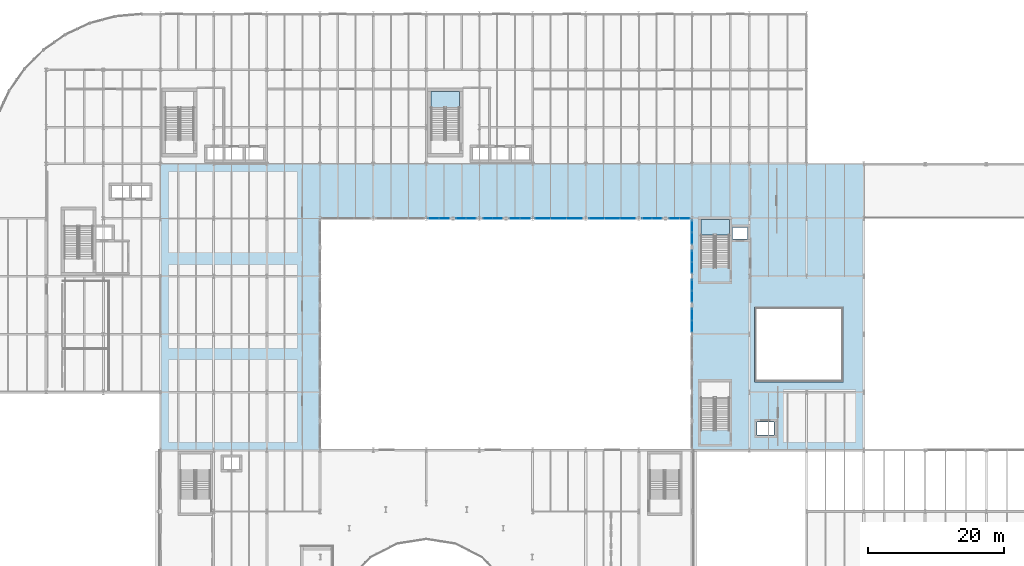
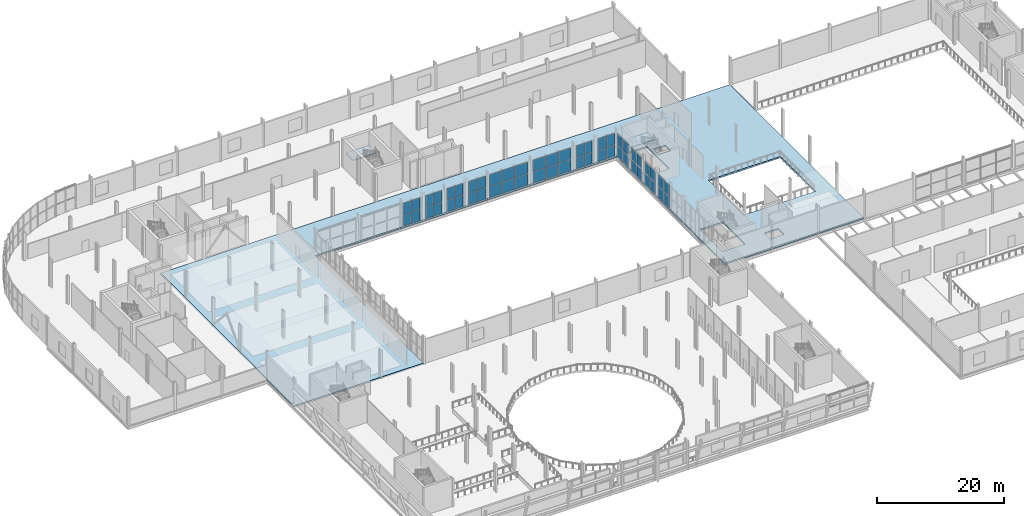
# One storey, part 42 of 78: 52 plates, 3 slabs, 14 elements without a shape of their own.
"""IFC4 building model written with IfcOpenShell, lengths in metres."""

from ifc_helpers import new_model, si_unit, direction, frame, origin, origin_2d, place, context, subcontext, project, spatial, polyline, rectangle, outline, extrude, material, layer, layer_set, type_object, element, aggregate, save


model = new_model("IFC4")

# Units and contexts
model_context = context("Model", 3, precision=1e-05, world=origin(), true_north=direction((0.0, 1.0)))
body_context = subcontext(model_context, "Body", "Model", "MODEL_VIEW")
ifc_project = project(units=[si_unit("LENGTHUNIT", "METRE"), si_unit("AREAUNIT", "SQUARE_METRE"), si_unit("VOLUMEUNIT", "CUBIC_METRE"), si_unit("PLANEANGLEUNIT", "RADIAN"), si_unit("MASSUNIT", "GRAM", prefix="KILO")], contexts=[model_context])

# Site, building, storey
site_placement = place(None, origin())
site = spatial("IfcSite", under=ifc_project, at=site_placement, CompositionType="ELEMENT")
building_placement = place(site_placement, origin())
building = spatial("IfcBuilding", under=site, at=building_placement, Name="Sefraquen Railside Congress Hotel", CompositionType="ELEMENT")
storey_placement = place(building_placement, frame((0.0, 0.0, 6.0)))
storey = spatial("IfcBuildingStorey", under=building, at=storey_placement, Name="L01", CompositionType="ELEMENT", Elevation=6.0)

# Curtain wall, plates
ifc_material_1 = material(Name="Thermally broken anodised aluminium and low-E double glazing", Category="aluminium")
ifc_layer_1 = layer(ifc_material_1, 0.199951171875)
ifc_layer_set_1 = layer_set([ifc_layer_1], Name="Thermally broken anodised aluminium and low-E double glazing")
curtain_wall_type_1 = type_object("IfcCurtainWallType", Name="TCW-UCW-11", PredefinedType="USERDEFINED", material=ifc_layer_set_1)
curtain_wall_1_placement = place(storey_placement, origin())
curtain_wall_1 = element("IfcCurtainWall", 1, at=curtain_wall_1_placement, inside=storey, type_object=curtain_wall_type_1, Name="Courtyard north gallery curtain wall L01-2", ObjectType="UNITISED CURTAIN WALL", PredefinedType="USERDEFINED")
ifc_material_2 = material(Name="Solar-control low-E double glazing", Category="glass")
ifc_layer_2 = layer(ifc_material_2, 0.02392578125)
ifc_layer_set_2 = layer_set([ifc_layer_2], Name="Solar-control low-E double glazing")
plate_type_1 = type_object("IfcPlateType", Name="TP-CWP-01", PredefinedType="CURTAIN_PANEL", material=ifc_layer_set_2)
plate_1_placement = place(storey_placement, frame((65.28759765625, 88.0, 0.0400390625), z_axis=(0.0, 0.0, 1.0), x_axis=(1.0, 0.0, 0.0)))
plate_1 = element("IfcPlate", 2, at=plate_1_placement, type_object=plate_type_1, Name="CW-L01-043 panel 1.1", PredefinedType="CURTAIN_PANEL", context=body_context, shape_type="SweptSolid", body=[
    extrude(rectangle(XDim=1.465087890625, YDim=0.02392578125, at=origin_2d()), origin(), (0.0, 0.0, 1.0), 2.169921875),
])
plate_2_placement = place(storey_placement, frame((66.842529296875, 88.0, 0.0400390625), z_axis=(0.0, 0.0, 1.0), x_axis=(1.0, 0.0, 0.0)))
plate_2 = element("IfcPlate", 3, at=plate_2_placement, type_object=plate_type_1, Name="CW-L01-043 panel 1.2", PredefinedType="CURTAIN_PANEL", context=body_context, shape_type="SweptSolid", body=[
    extrude(rectangle(XDim=1.465087890625, YDim=0.02392578125, at=origin_2d()), origin(), (0.0, 0.0, 1.0), 2.169921875),
])

curtain_wall_2_placement = place(storey_placement, origin())
curtain_wall_2 = element("IfcCurtainWall", 4, at=curtain_wall_2_placement, inside=storey, type_object=curtain_wall_type_1, Name="Courtyard north gallery curtain wall L01-2 bay 2", ObjectType="UNITISED CURTAIN WALL", PredefinedType="USERDEFINED")
plate_3_placement = place(storey_placement, frame((69.31494140625, 88.0, 0.0400390625), z_axis=(0.0, 0.0, 1.0), x_axis=(1.0, 0.0, 0.0)))
plate_3 = element("IfcPlate", 5, at=plate_3_placement, type_object=plate_type_1, Name="CW-L01-043-S2 panel 1.1", PredefinedType="CURTAIN_PANEL", context=body_context, shape_type="SweptSolid", body=[
    extrude(rectangle(XDim=1.3798828125, YDim=0.02392578125, at=origin_2d()), origin(), (0.0, 0.0, 1.0), 2.169921875),
])
plate_4_placement = place(storey_placement, frame((70.784912109375, 88.0, 0.0400390625), z_axis=(0.0, 0.0, 1.0), x_axis=(1.0, 0.0, 0.0)))
plate_4 = element("IfcPlate", 6, at=plate_4_placement, type_object=plate_type_1, Name="CW-L01-043-S2 panel 1.2", PredefinedType="CURTAIN_PANEL", context=body_context, shape_type="SweptSolid", body=[
    extrude(rectangle(XDim=1.3798828125, YDim=0.02392578125, at=origin_2d()), origin(), (0.0, 0.0, 1.0), 2.169921875),
])

curtain_wall_3_placement = place(storey_placement, origin())
curtain_wall_3 = element("IfcCurtainWall", 7, at=curtain_wall_3_placement, inside=storey, type_object=curtain_wall_type_1, Name="Courtyard north gallery curtain wall L01-2 bay 3", ObjectType="UNITISED CURTAIN WALL", PredefinedType="USERDEFINED")
plate_5_placement = place(storey_placement, frame((73.215087890625, 88.0, 0.0400390625), z_axis=(0.0, 0.0, 1.0), x_axis=(1.0, 0.0, 0.0)))
plate_5 = element("IfcPlate", 8, at=plate_5_placement, type_object=plate_type_1, Name="CW-L01-043-S3 panel 1.1", PredefinedType="CURTAIN_PANEL", context=body_context, shape_type="SweptSolid", body=[
    extrude(rectangle(XDim=1.3798828125, YDim=0.02392578125, at=origin_2d()), origin(), (0.0, 0.0, 1.0), 2.169921875),
])
plate_6_placement = place(storey_placement, frame((74.68505859375, 88.0, 0.0400390625), z_axis=(0.0, 0.0, 1.0), x_axis=(1.0, 0.0, 0.0)))
plate_6 = element("IfcPlate", 9, at=plate_6_placement, type_object=plate_type_1, Name="CW-L01-043-S3 panel 1.2", PredefinedType="CURTAIN_PANEL", context=body_context, shape_type="SweptSolid", body=[
    extrude(rectangle(XDim=1.3798828125, YDim=0.02392578125, at=origin_2d()), origin(), (0.0, 0.0, 1.0), 2.169921875),
])

curtain_wall_4_placement = place(storey_placement, origin())
curtain_wall_4 = element("IfcCurtainWall", 10, at=curtain_wall_4_placement, inside=storey, type_object=curtain_wall_type_1, Name="Courtyard north gallery curtain wall L01-2 bay 4", ObjectType="UNITISED CURTAIN WALL", PredefinedType="USERDEFINED")
plate_7_placement = place(storey_placement, frame((77.157470703125, 88.0, 0.0400390625), z_axis=(0.0, 0.0, 1.0), x_axis=(1.0, 0.0, 0.0)))
plate_7 = element("IfcPlate", 11, at=plate_7_placement, type_object=plate_type_1, Name="CW-L01-043-S4 panel 1.1", PredefinedType="CURTAIN_PANEL", context=body_context, shape_type="SweptSolid", body=[
    extrude(rectangle(XDim=1.465087890625, YDim=0.02392578125, at=origin_2d()), origin(), (0.0, 0.0, 1.0), 2.169921875),
])
plate_8_placement = place(storey_placement, frame((78.71240234375, 88.0, 0.0400390625), z_axis=(0.0, 0.0, 1.0), x_axis=(1.0, 0.0, 0.0)))
plate_8 = element("IfcPlate", 12, at=plate_8_placement, type_object=plate_type_1, Name="CW-L01-043-S4 panel 1.2", PredefinedType="CURTAIN_PANEL", context=body_context, shape_type="SweptSolid", body=[
    extrude(rectangle(XDim=1.465087890625, YDim=0.02392578125, at=origin_2d()), origin(), (0.0, 0.0, 1.0), 2.169921875),
])

ifc_layer_3 = layer(ifc_material_1, 0.199951171875)
ifc_layer_set_3 = layer_set([ifc_layer_3], Name="Thermally broken anodised aluminium and low-E double glazing")
curtain_wall_type_2 = type_object("IfcCurtainWallType", Name="TCW-UCW-12", PredefinedType="USERDEFINED", material=ifc_layer_set_3)
curtain_wall_5_placement = place(storey_placement, origin())
curtain_wall_5 = element("IfcCurtainWall", 13, at=curtain_wall_5_placement, inside=storey, type_object=curtain_wall_type_2, Name="Courtyard north gallery curtain wall L01-3", ObjectType="UNITISED CURTAIN WALL", PredefinedType="USERDEFINED")
plate_9_placement = place(storey_placement, frame((81.2783203125, 88.0, 0.0400390625), z_axis=(0.0, 0.0, 1.0), x_axis=(1.0, 0.0, 0.0)))
plate_9 = element("IfcPlate", 14, at=plate_9_placement, type_object=plate_type_1, Name="CW-L01-044 panel 1.1", PredefinedType="CURTAIN_PANEL", context=body_context, shape_type="SweptSolid", body=[
    extrude(rectangle(XDim=2.24658203125, YDim=0.02392578125, at=origin_2d()), origin(), (0.0, 0.0, 1.0), 2.169921875),
])
plate_10_placement = place(storey_placement, frame((83.614990234375, 88.0, 0.0400390625), z_axis=(0.0, 0.0, 1.0), x_axis=(1.0, 0.0, 0.0)))
plate_10 = element("IfcPlate", 15, at=plate_10_placement, type_object=plate_type_1, Name="CW-L01-044 panel 1.2", PredefinedType="CURTAIN_PANEL", context=body_context, shape_type="SweptSolid", body=[
    extrude(rectangle(XDim=2.24658203125, YDim=0.02392578125, at=origin_2d()), origin(), (0.0, 0.0, 1.0), 2.169921875),
])
plate_11_placement = place(storey_placement, frame((85.95166015625, 88.0, 0.0400390625), z_axis=(0.0, 0.0, 1.0), x_axis=(1.0, 0.0, 0.0)))
plate_11 = element("IfcPlate", 16, at=plate_11_placement, type_object=plate_type_1, Name="CW-L01-044 panel 1.3", PredefinedType="CURTAIN_PANEL", context=body_context, shape_type="SweptSolid", body=[
    extrude(rectangle(XDim=2.24658203125, YDim=0.02392578125, at=origin_2d()), origin(), (0.0, 0.0, 1.0), 2.169921875),
])

curtain_wall_6_placement = place(storey_placement, origin())
curtain_wall_6 = element("IfcCurtainWall", 17, at=curtain_wall_6_placement, inside=storey, type_object=curtain_wall_type_2, Name="Courtyard north gallery curtain wall L01-3 bay 2", ObjectType="UNITISED CURTAIN WALL", PredefinedType="USERDEFINED")
plate_12_placement = place(storey_placement, frame((89.219970703125, 88.0, 0.0400390625), z_axis=(0.0, 0.0, 1.0), x_axis=(1.0, 0.0, 0.0)))
plate_12 = element("IfcPlate", 18, at=plate_12_placement, type_object=plate_type_1, Name="CW-L01-044-S2 panel 1.1", PredefinedType="CURTAIN_PANEL", context=body_context, shape_type="SweptSolid", body=[
    extrude(rectangle(XDim=2.18994140625, YDim=0.02392578125, at=origin_2d()), origin(), (0.0, 0.0, 1.0), 2.169921875),
])
plate_13_placement = place(storey_placement, frame((91.5, 88.0, 0.0400390625), z_axis=(0.0, 0.0, 1.0), x_axis=(1.0, 0.0, 0.0)))
plate_13 = element("IfcPlate", 19, at=plate_13_placement, type_object=plate_type_1, Name="CW-L01-044-S2 panel 1.2", PredefinedType="CURTAIN_PANEL", context=body_context, shape_type="SweptSolid", body=[
    extrude(rectangle(XDim=2.18994140625, YDim=0.02392578125, at=origin_2d()), origin(), (0.0, 0.0, 1.0), 2.169921875),
])
plate_14_placement = place(storey_placement, frame((93.780029296875, 88.0, 0.0400390625), z_axis=(0.0, 0.0, 1.0), x_axis=(1.0, 0.0, 0.0)))
plate_14 = element("IfcPlate", 20, at=plate_14_placement, type_object=plate_type_1, Name="CW-L01-044-S2 panel 1.3", PredefinedType="CURTAIN_PANEL", context=body_context, shape_type="SweptSolid", body=[
    extrude(rectangle(XDim=2.18994140625, YDim=0.02392578125, at=origin_2d()), origin(), (0.0, 0.0, 1.0), 2.169921875),
])

curtain_wall_7_placement = place(storey_placement, origin())
curtain_wall_7 = element("IfcCurtainWall", 21, at=curtain_wall_7_placement, inside=storey, type_object=curtain_wall_type_2, Name="Courtyard north gallery curtain wall L01-3 bay 3", ObjectType="UNITISED CURTAIN WALL", PredefinedType="USERDEFINED")
plate_15_placement = place(storey_placement, frame((96.614990234375, 88.0, 0.0400390625), z_axis=(0.0, 0.0, 1.0), x_axis=(1.0, 0.0, 0.0)))
plate_15 = element("IfcPlate", 22, at=plate_15_placement, type_object=plate_type_1, Name="CW-L01-044-S3 panel 1.1", PredefinedType="CURTAIN_PANEL", context=body_context, shape_type="SweptSolid", body=[
    extrude(rectangle(XDim=1.3798828125, YDim=0.02392578125, at=origin_2d()), origin(), (0.0, 0.0, 1.0), 2.169921875),
])
plate_16_placement = place(storey_placement, frame((98.0849609375, 88.0, 0.0400390625), z_axis=(0.0, 0.0, 1.0), x_axis=(1.0, 0.0, 0.0)))
plate_16 = element("IfcPlate", 23, at=plate_16_placement, type_object=plate_type_1, Name="CW-L01-044-S3 panel 1.2", PredefinedType="CURTAIN_PANEL", context=body_context, shape_type="SweptSolid", body=[
    extrude(rectangle(XDim=1.3798828125, YDim=0.02392578125, at=origin_2d()), origin(), (0.0, 0.0, 1.0), 2.169921875),
])

curtain_wall_8_placement = place(storey_placement, origin())
curtain_wall_8 = element("IfcCurtainWall", 24, at=curtain_wall_8_placement, inside=storey, type_object=curtain_wall_type_2, Name="Courtyard north gallery curtain wall L01-3 bay 4", ObjectType="UNITISED CURTAIN WALL", PredefinedType="USERDEFINED")
plate_17_placement = place(storey_placement, frame((100.5576171875, 88.0, 0.0400390625), z_axis=(0.0, 0.0, 1.0), x_axis=(1.0, 0.0, 0.0)))
plate_17 = element("IfcPlate", 25, at=plate_17_placement, type_object=plate_type_1, Name="CW-L01-044-S4 panel 1.1", PredefinedType="CURTAIN_PANEL", context=body_context, shape_type="SweptSolid", body=[
    extrude(rectangle(XDim=1.465087890625, YDim=0.02392578125, at=origin_2d()), origin(), (0.0, 0.0, 1.0), 2.169921875),
])
plate_18_placement = place(storey_placement, frame((102.112548828125, 88.0, 0.0400390625), z_axis=(0.0, 0.0, 1.0), x_axis=(1.0, 0.0, 0.0)))
plate_18 = element("IfcPlate", 26, at=plate_18_placement, type_object=plate_type_1, Name="CW-L01-044-S4 panel 1.2", PredefinedType="CURTAIN_PANEL", context=body_context, shape_type="SweptSolid", body=[
    extrude(rectangle(XDim=1.465087890625, YDim=0.02392578125, at=origin_2d()), origin(), (0.0, 0.0, 1.0), 2.169921875),
])

ifc_layer_4 = layer(ifc_material_1, 0.199951171875)
ifc_layer_set_4 = layer_set([ifc_layer_4], Name="Thermally broken anodised aluminium and low-E double glazing")
curtain_wall_type_3 = type_object("IfcCurtainWallType", Name="TCW-UCW-16", PredefinedType="USERDEFINED", material=ifc_layer_set_4)
curtain_wall_9_placement = place(storey_placement, origin())
curtain_wall_9 = element("IfcCurtainWall", 27, at=curtain_wall_9_placement, inside=storey, type_object=curtain_wall_type_3, Name="Courtyard east gallery curtain wall L01", ObjectType="UNITISED CURTAIN WALL", PredefinedType="USERDEFINED")
plate_19_placement = place(storey_placement, frame((103.199951171875, 72.175048828125, 0.0400390625), z_axis=(0.0, 0.0, 1.0), x_axis=(0.0, 1.0, 0.0)))
plate_19 = element("IfcPlate", 28, at=plate_19_placement, type_object=plate_type_1, Name="CW-L01-048 panel 1.1", PredefinedType="CURTAIN_PANEL", context=body_context, shape_type="SweptSolid", body=[
    extrude(rectangle(XDim=1.639892578125, YDim=0.02392578125, at=origin_2d()), origin(), (0.0, 0.0, 1.0), 2.169921875),
])
plate_20_placement = place(storey_placement, frame((103.199951171875, 73.905029296875, 0.0400390625), z_axis=(0.0, 0.0, 1.0), x_axis=(0.0, 1.0, 0.0)))
plate_20 = element("IfcPlate", 29, at=plate_20_placement, type_object=plate_type_1, Name="CW-L01-048 panel 1.2", PredefinedType="CURTAIN_PANEL", context=body_context, shape_type="SweptSolid", body=[
    extrude(rectangle(XDim=1.639892578125, YDim=0.02392578125, at=origin_2d()), origin(), (0.0, 0.0, 1.0), 2.169921875),
])

curtain_wall_10_placement = place(storey_placement, origin())
curtain_wall_10 = element("IfcCurtainWall", 30, at=curtain_wall_10_placement, inside=storey, type_object=curtain_wall_type_3, Name="Courtyard east gallery curtain wall L01 bay 2", ObjectType="UNITISED CURTAIN WALL", PredefinedType="USERDEFINED")
plate_21_placement = place(storey_placement, frame((103.199951171875, 76.552490234375, 0.0400390625), z_axis=(0.0, 0.0, 1.0), x_axis=(0.0, 1.0, 0.0)))
plate_21 = element("IfcPlate", 31, at=plate_21_placement, type_object=plate_type_1, Name="CW-L01-048-S2 panel 1.1", PredefinedType="CURTAIN_PANEL", context=body_context, shape_type="SweptSolid", body=[
    extrude(rectangle(XDim=1.554931640625, YDim=0.02392578125, at=origin_2d()), origin(), (0.0, 0.0, 1.0), 2.169921875),
])
plate_22_placement = place(storey_placement, frame((103.199951171875, 78.197509765625, 0.0400390625), z_axis=(0.0, 0.0, 1.0), x_axis=(0.0, 1.0, 0.0)))
plate_22 = element("IfcPlate", 32, at=plate_22_placement, type_object=plate_type_1, Name="CW-L01-048-S2 panel 1.2", PredefinedType="CURTAIN_PANEL", context=body_context, shape_type="SweptSolid", body=[
    extrude(rectangle(XDim=1.554931640625, YDim=0.02392578125, at=origin_2d()), origin(), (0.0, 0.0, 1.0), 2.169921875),
])

curtain_wall_11_placement = place(storey_placement, origin())
curtain_wall_11 = element("IfcCurtainWall", 33, at=curtain_wall_11_placement, inside=storey, type_object=curtain_wall_type_3, Name="Courtyard east gallery curtain wall L01 bay 3", ObjectType="UNITISED CURTAIN WALL", PredefinedType="USERDEFINED")
plate_23_placement = place(storey_placement, frame((103.199951171875, 80.802490234375, 0.0400390625), z_axis=(0.0, 0.0, 1.0), x_axis=(0.0, 1.0, 0.0)))
plate_23 = element("IfcPlate", 34, at=plate_23_placement, type_object=plate_type_1, Name="CW-L01-048-S3 panel 1.1", PredefinedType="CURTAIN_PANEL", context=body_context, shape_type="SweptSolid", body=[
    extrude(rectangle(XDim=1.554931640625, YDim=0.02392578125, at=origin_2d()), origin(), (0.0, 0.0, 1.0), 2.169921875),
])
plate_24_placement = place(storey_placement, frame((103.199951171875, 82.447509765625, 0.0400390625), z_axis=(0.0, 0.0, 1.0), x_axis=(0.0, 1.0, 0.0)))
plate_24 = element("IfcPlate", 35, at=plate_24_placement, type_object=plate_type_1, Name="CW-L01-048-S3 panel 1.2", PredefinedType="CURTAIN_PANEL", context=body_context, shape_type="SweptSolid", body=[
    extrude(rectangle(XDim=1.554931640625, YDim=0.02392578125, at=origin_2d()), origin(), (0.0, 0.0, 1.0), 2.169921875),
])

curtain_wall_12_placement = place(storey_placement, origin())
curtain_wall_12 = element("IfcCurtainWall", 36, at=curtain_wall_12_placement, inside=storey, type_object=curtain_wall_type_3, Name="Courtyard east gallery curtain wall L01 bay 4", ObjectType="UNITISED CURTAIN WALL", PredefinedType="USERDEFINED")
plate_25_placement = place(storey_placement, frame((103.199951171875, 85.094970703125, 0.0400390625), z_axis=(0.0, 0.0, 1.0), x_axis=(0.0, 1.0, 0.0)))
plate_25 = element("IfcPlate", 37, at=plate_25_placement, type_object=plate_type_1, Name="CW-L01-048-S4 panel 1.1", PredefinedType="CURTAIN_PANEL", context=body_context, shape_type="SweptSolid", body=[
    extrude(rectangle(XDim=1.639892578125, YDim=0.02392578125, at=origin_2d()), origin(), (0.0, 0.0, 1.0), 2.169921875),
])
plate_26_placement = place(storey_placement, frame((103.199951171875, 86.824951171875, 0.0400390625), z_axis=(0.0, 0.0, 1.0), x_axis=(0.0, 1.0, 0.0)))
plate_26 = element("IfcPlate", 38, at=plate_26_placement, type_object=plate_type_1, Name="CW-L01-048-S4 panel 1.2", PredefinedType="CURTAIN_PANEL", context=body_context, shape_type="SweptSolid", body=[
    extrude(rectangle(XDim=1.639892578125, YDim=0.02392578125, at=origin_2d()), origin(), (0.0, 0.0, 1.0), 2.169921875),
])

# Plate
ifc_material_3 = material(Name="Triple acoustic solar-control glazing", Category="glass")
ifc_layer_5 = layer(ifc_material_3, 0.031982421875)
ifc_layer_set_5 = layer_set([ifc_layer_5], Name="Triple acoustic solar-control glazing")
plate_type_2 = type_object("IfcPlateType", Name="TP-CWP-02", PredefinedType="CURTAIN_PANEL", material=ifc_layer_set_5)
plate_27_placement = place(storey_placement, frame((65.28759765625, 88.0, 2.2900390625), z_axis=(0.0, 0.0, 1.0), x_axis=(1.0, 0.0, 0.0)))
plate_27 = element("IfcPlate", 39, at=plate_27_placement, type_object=plate_type_2, Name="CW-L01-043 panel 2.1", PredefinedType="CURTAIN_PANEL", context=body_context, shape_type="SweptSolid", body=[
    extrude(rectangle(XDim=1.465087890625, YDim=0.031982421875, at=origin_2d()), origin(), (0.0, 0.0, 1.0), 2.169921875),
])

plate_28_placement = place(storey_placement, frame((66.842529296875, 88.0, 2.2900390625), z_axis=(0.0, 0.0, 1.0), x_axis=(1.0, 0.0, 0.0)))
plate_28 = element("IfcPlate", 40, at=plate_28_placement, type_object=plate_type_2, Name="CW-L01-043 panel 2.2", PredefinedType="CURTAIN_PANEL", context=body_context, shape_type="SweptSolid", body=[
    extrude(rectangle(XDim=1.465087890625, YDim=0.031982421875, at=origin_2d()), origin(), (0.0, 0.0, 1.0), 2.169921875),
])

aggregate(curtain_wall_1, [plate_1, plate_2, plate_27, plate_28])

plate_29_placement = place(storey_placement, frame((69.31494140625, 88.0, 2.2900390625), z_axis=(0.0, 0.0, 1.0), x_axis=(1.0, 0.0, 0.0)))
plate_29 = element("IfcPlate", 41, at=plate_29_placement, type_object=plate_type_2, Name="CW-L01-043-S2 panel 2.1", PredefinedType="CURTAIN_PANEL", context=body_context, shape_type="SweptSolid", body=[
    extrude(rectangle(XDim=1.3798828125, YDim=0.031982421875, at=origin_2d()), origin(), (0.0, 0.0, 1.0), 2.169921875),
])

plate_30_placement = place(storey_placement, frame((70.784912109375, 88.0, 2.2900390625), z_axis=(0.0, 0.0, 1.0), x_axis=(1.0, 0.0, 0.0)))
plate_30 = element("IfcPlate", 42, at=plate_30_placement, type_object=plate_type_2, Name="CW-L01-043-S2 panel 2.2", PredefinedType="CURTAIN_PANEL", context=body_context, shape_type="SweptSolid", body=[
    extrude(rectangle(XDim=1.3798828125, YDim=0.031982421875, at=origin_2d()), origin(), (0.0, 0.0, 1.0), 2.169921875),
])

aggregate(curtain_wall_2, [plate_3, plate_4, plate_29, plate_30])

plate_31_placement = place(storey_placement, frame((73.215087890625, 88.0, 2.2900390625), z_axis=(0.0, 0.0, 1.0), x_axis=(1.0, 0.0, 0.0)))
plate_31 = element("IfcPlate", 43, at=plate_31_placement, type_object=plate_type_2, Name="CW-L01-043-S3 panel 2.1", PredefinedType="CURTAIN_PANEL", context=body_context, shape_type="SweptSolid", body=[
    extrude(rectangle(XDim=1.3798828125, YDim=0.031982421875, at=origin_2d()), origin(), (0.0, 0.0, 1.0), 2.169921875),
])

plate_32_placement = place(storey_placement, frame((74.68505859375, 88.0, 2.2900390625), z_axis=(0.0, 0.0, 1.0), x_axis=(1.0, 0.0, 0.0)))
plate_32 = element("IfcPlate", 44, at=plate_32_placement, type_object=plate_type_2, Name="CW-L01-043-S3 panel 2.2", PredefinedType="CURTAIN_PANEL", context=body_context, shape_type="SweptSolid", body=[
    extrude(rectangle(XDim=1.3798828125, YDim=0.031982421875, at=origin_2d()), origin(), (0.0, 0.0, 1.0), 2.169921875),
])

aggregate(curtain_wall_3, [plate_5, plate_6, plate_31, plate_32])

plate_33_placement = place(storey_placement, frame((77.157470703125, 88.0, 2.2900390625), z_axis=(0.0, 0.0, 1.0), x_axis=(1.0, 0.0, 0.0)))
plate_33 = element("IfcPlate", 45, at=plate_33_placement, type_object=plate_type_2, Name="CW-L01-043-S4 panel 2.1", PredefinedType="CURTAIN_PANEL", context=body_context, shape_type="SweptSolid", body=[
    extrude(rectangle(XDim=1.465087890625, YDim=0.031982421875, at=origin_2d()), origin(), (0.0, 0.0, 1.0), 2.169921875),
])

plate_34_placement = place(storey_placement, frame((78.71240234375, 88.0, 2.2900390625), z_axis=(0.0, 0.0, 1.0), x_axis=(1.0, 0.0, 0.0)))
plate_34 = element("IfcPlate", 46, at=plate_34_placement, type_object=plate_type_2, Name="CW-L01-043-S4 panel 2.2", PredefinedType="CURTAIN_PANEL", context=body_context, shape_type="SweptSolid", body=[
    extrude(rectangle(XDim=1.465087890625, YDim=0.031982421875, at=origin_2d()), origin(), (0.0, 0.0, 1.0), 2.169921875),
])

aggregate(curtain_wall_4, [plate_7, plate_8, plate_33, plate_34])

plate_35_placement = place(storey_placement, frame((81.2783203125, 88.0, 2.2900390625), z_axis=(0.0, 0.0, 1.0), x_axis=(1.0, 0.0, 0.0)))
plate_35 = element("IfcPlate", 47, at=plate_35_placement, type_object=plate_type_2, Name="CW-L01-044 panel 2.1", PredefinedType="CURTAIN_PANEL", context=body_context, shape_type="SweptSolid", body=[
    extrude(rectangle(XDim=2.24658203125, YDim=0.031982421875, at=origin_2d()), origin(), (0.0, 0.0, 1.0), 2.169921875),
])

plate_36_placement = place(storey_placement, frame((83.614990234375, 88.0, 2.2900390625), z_axis=(0.0, 0.0, 1.0), x_axis=(1.0, 0.0, 0.0)))
plate_36 = element("IfcPlate", 48, at=plate_36_placement, type_object=plate_type_2, Name="CW-L01-044 panel 2.2", PredefinedType="CURTAIN_PANEL", context=body_context, shape_type="SweptSolid", body=[
    extrude(rectangle(XDim=2.24658203125, YDim=0.031982421875, at=origin_2d()), origin(), (0.0, 0.0, 1.0), 2.169921875),
])

plate_37_placement = place(storey_placement, frame((85.95166015625, 88.0, 2.2900390625), z_axis=(0.0, 0.0, 1.0), x_axis=(1.0, 0.0, 0.0)))
plate_37 = element("IfcPlate", 49, at=plate_37_placement, type_object=plate_type_2, Name="CW-L01-044 panel 2.3", PredefinedType="CURTAIN_PANEL", context=body_context, shape_type="SweptSolid", body=[
    extrude(rectangle(XDim=2.24658203125, YDim=0.031982421875, at=origin_2d()), origin(), (0.0, 0.0, 1.0), 2.169921875),
])

aggregate(curtain_wall_5, [plate_9, plate_10, plate_11, plate_35, plate_36, plate_37])

plate_38_placement = place(storey_placement, frame((89.219970703125, 88.0, 2.2900390625), z_axis=(0.0, 0.0, 1.0), x_axis=(1.0, 0.0, 0.0)))
plate_38 = element("IfcPlate", 50, at=plate_38_placement, type_object=plate_type_2, Name="CW-L01-044-S2 panel 2.1", PredefinedType="CURTAIN_PANEL", context=body_context, shape_type="SweptSolid", body=[
    extrude(rectangle(XDim=2.18994140625, YDim=0.031982421875, at=origin_2d()), origin(), (0.0, 0.0, 1.0), 2.169921875),
])

plate_39_placement = place(storey_placement, frame((91.5, 88.0, 2.2900390625), z_axis=(0.0, 0.0, 1.0), x_axis=(1.0, 0.0, 0.0)))
plate_39 = element("IfcPlate", 51, at=plate_39_placement, type_object=plate_type_2, Name="CW-L01-044-S2 panel 2.2", PredefinedType="CURTAIN_PANEL", context=body_context, shape_type="SweptSolid", body=[
    extrude(rectangle(XDim=2.18994140625, YDim=0.031982421875, at=origin_2d()), origin(), (0.0, 0.0, 1.0), 2.169921875),
])

plate_40_placement = place(storey_placement, frame((93.780029296875, 88.0, 2.2900390625), z_axis=(0.0, 0.0, 1.0), x_axis=(1.0, 0.0, 0.0)))
plate_40 = element("IfcPlate", 52, at=plate_40_placement, type_object=plate_type_2, Name="CW-L01-044-S2 panel 2.3", PredefinedType="CURTAIN_PANEL", context=body_context, shape_type="SweptSolid", body=[
    extrude(rectangle(XDim=2.18994140625, YDim=0.031982421875, at=origin_2d()), origin(), (0.0, 0.0, 1.0), 2.169921875),
])

aggregate(curtain_wall_6, [plate_12, plate_13, plate_14, plate_38, plate_39, plate_40])

plate_41_placement = place(storey_placement, frame((96.614990234375, 88.0, 2.2900390625), z_axis=(0.0, 0.0, 1.0), x_axis=(1.0, 0.0, 0.0)))
plate_41 = element("IfcPlate", 53, at=plate_41_placement, type_object=plate_type_2, Name="CW-L01-044-S3 panel 2.1", PredefinedType="CURTAIN_PANEL", context=body_context, shape_type="SweptSolid", body=[
    extrude(rectangle(XDim=1.3798828125, YDim=0.031982421875, at=origin_2d()), origin(), (0.0, 0.0, 1.0), 2.169921875),
])

plate_42_placement = place(storey_placement, frame((98.0849609375, 88.0, 2.2900390625), z_axis=(0.0, 0.0, 1.0), x_axis=(1.0, 0.0, 0.0)))
plate_42 = element("IfcPlate", 54, at=plate_42_placement, type_object=plate_type_2, Name="CW-L01-044-S3 panel 2.2", PredefinedType="CURTAIN_PANEL", context=body_context, shape_type="SweptSolid", body=[
    extrude(rectangle(XDim=1.3798828125, YDim=0.031982421875, at=origin_2d()), origin(), (0.0, 0.0, 1.0), 2.169921875),
])

aggregate(curtain_wall_7, [plate_15, plate_16, plate_41, plate_42])

plate_43_placement = place(storey_placement, frame((100.5576171875, 88.0, 2.2900390625), z_axis=(0.0, 0.0, 1.0), x_axis=(1.0, 0.0, 0.0)))
plate_43 = element("IfcPlate", 55, at=plate_43_placement, type_object=plate_type_2, Name="CW-L01-044-S4 panel 2.1", PredefinedType="CURTAIN_PANEL", context=body_context, shape_type="SweptSolid", body=[
    extrude(rectangle(XDim=1.465087890625, YDim=0.031982421875, at=origin_2d()), origin(), (0.0, 0.0, 1.0), 2.169921875),
])

plate_44_placement = place(storey_placement, frame((102.112548828125, 88.0, 2.2900390625), z_axis=(0.0, 0.0, 1.0), x_axis=(1.0, 0.0, 0.0)))
plate_44 = element("IfcPlate", 56, at=plate_44_placement, type_object=plate_type_2, Name="CW-L01-044-S4 panel 2.2", PredefinedType="CURTAIN_PANEL", context=body_context, shape_type="SweptSolid", body=[
    extrude(rectangle(XDim=1.465087890625, YDim=0.031982421875, at=origin_2d()), origin(), (0.0, 0.0, 1.0), 2.169921875),
])

aggregate(curtain_wall_8, [plate_17, plate_18, plate_43, plate_44])

plate_45_placement = place(storey_placement, frame((103.199951171875, 72.175048828125, 2.2900390625), z_axis=(0.0, 0.0, 1.0), x_axis=(0.0, 1.0, 0.0)))
plate_45 = element("IfcPlate", 57, at=plate_45_placement, type_object=plate_type_2, Name="CW-L01-048 panel 2.1", PredefinedType="CURTAIN_PANEL", context=body_context, shape_type="SweptSolid", body=[
    extrude(rectangle(XDim=1.639892578125, YDim=0.031982421875, at=origin_2d()), origin(), (0.0, 0.0, 1.0), 2.169921875),
])

plate_46_placement = place(storey_placement, frame((103.199951171875, 73.905029296875, 2.2900390625), z_axis=(0.0, 0.0, 1.0), x_axis=(0.0, 1.0, 0.0)))
plate_46 = element("IfcPlate", 58, at=plate_46_placement, type_object=plate_type_2, Name="CW-L01-048 panel 2.2", PredefinedType="CURTAIN_PANEL", context=body_context, shape_type="SweptSolid", body=[
    extrude(rectangle(XDim=1.639892578125, YDim=0.031982421875, at=origin_2d()), origin(), (0.0, 0.0, 1.0), 2.169921875),
])

aggregate(curtain_wall_9, [plate_19, plate_20, plate_45, plate_46])

plate_47_placement = place(storey_placement, frame((103.199951171875, 76.552490234375, 2.2900390625), z_axis=(0.0, 0.0, 1.0), x_axis=(0.0, 1.0, 0.0)))
plate_47 = element("IfcPlate", 59, at=plate_47_placement, type_object=plate_type_2, Name="CW-L01-048-S2 panel 2.1", PredefinedType="CURTAIN_PANEL", context=body_context, shape_type="SweptSolid", body=[
    extrude(rectangle(XDim=1.554931640625, YDim=0.031982421875, at=origin_2d()), origin(), (0.0, 0.0, 1.0), 2.169921875),
])

plate_48_placement = place(storey_placement, frame((103.199951171875, 78.197509765625, 2.2900390625), z_axis=(0.0, 0.0, 1.0), x_axis=(0.0, 1.0, 0.0)))
plate_48 = element("IfcPlate", 60, at=plate_48_placement, type_object=plate_type_2, Name="CW-L01-048-S2 panel 2.2", PredefinedType="CURTAIN_PANEL", context=body_context, shape_type="SweptSolid", body=[
    extrude(rectangle(XDim=1.554931640625, YDim=0.031982421875, at=origin_2d()), origin(), (0.0, 0.0, 1.0), 2.169921875),
])

aggregate(curtain_wall_10, [plate_21, plate_22, plate_47, plate_48])

plate_49_placement = place(storey_placement, frame((103.199951171875, 80.802490234375, 2.2900390625), z_axis=(0.0, 0.0, 1.0), x_axis=(0.0, 1.0, 0.0)))
plate_49 = element("IfcPlate", 61, at=plate_49_placement, type_object=plate_type_2, Name="CW-L01-048-S3 panel 2.1", PredefinedType="CURTAIN_PANEL", context=body_context, shape_type="SweptSolid", body=[
    extrude(rectangle(XDim=1.554931640625, YDim=0.031982421875, at=origin_2d()), origin(), (0.0, 0.0, 1.0), 2.169921875),
])

plate_50_placement = place(storey_placement, frame((103.199951171875, 82.447509765625, 2.2900390625), z_axis=(0.0, 0.0, 1.0), x_axis=(0.0, 1.0, 0.0)))
plate_50 = element("IfcPlate", 62, at=plate_50_placement, type_object=plate_type_2, Name="CW-L01-048-S3 panel 2.2", PredefinedType="CURTAIN_PANEL", context=body_context, shape_type="SweptSolid", body=[
    extrude(rectangle(XDim=1.554931640625, YDim=0.031982421875, at=origin_2d()), origin(), (0.0, 0.0, 1.0), 2.169921875),
])

aggregate(curtain_wall_11, [plate_23, plate_24, plate_49, plate_50])

plate_51_placement = place(storey_placement, frame((103.199951171875, 85.094970703125, 2.2900390625), z_axis=(0.0, 0.0, 1.0), x_axis=(0.0, 1.0, 0.0)))
plate_51 = element("IfcPlate", 63, at=plate_51_placement, type_object=plate_type_2, Name="CW-L01-048-S4 panel 2.1", PredefinedType="CURTAIN_PANEL", context=body_context, shape_type="SweptSolid", body=[
    extrude(rectangle(XDim=1.639892578125, YDim=0.031982421875, at=origin_2d()), origin(), (0.0, 0.0, 1.0), 2.169921875),
])

plate_52_placement = place(storey_placement, frame((103.199951171875, 86.824951171875, 2.2900390625), z_axis=(0.0, 0.0, 1.0), x_axis=(0.0, 1.0, 0.0)))
plate_52 = element("IfcPlate", 64, at=plate_52_placement, type_object=plate_type_2, Name="CW-L01-048-S4 panel 2.2", PredefinedType="CURTAIN_PANEL", context=body_context, shape_type="SweptSolid", body=[
    extrude(rectangle(XDim=1.639892578125, YDim=0.031982421875, at=origin_2d()), origin(), (0.0, 0.0, 1.0), 2.169921875),
])

aggregate(curtain_wall_12, [plate_25, plate_26, plate_51, plate_52])

# Slab
ifc_material_4 = material(Name="Concrete C40/50", Category="concrete")
ifc_layer_6 = layer(ifc_material_4, 0.300048828125)
ifc_layer_set_6 = layer_set([ifc_layer_6], Name="Concrete C40/50")
slab_type_1 = type_object("IfcSlabType", Name="TS-FS-300", PredefinedType="FLOOR", material=ifc_layer_set_6)
slab_1_placement = place(storey_placement, frame((0.0, 0.0, -0.300048828125)))
element("IfcSlab", 65, at=slab_1_placement, inside=storey, type_object=slab_type_1, Name="Meeting Wing and Covered Public Passage L01 floor slab", PredefinedType="FLOOR", context=body_context, shape_type="SweptSolid", body=[
    extrude(outline(polyline([(25.199951171875, 54.050048828125), (48.60009765625, 54.050048828125), (48.60009765625, 88.0), (103.199951171875, 88.0), (103.199951171875, 54.050048828125), (128.35009765625, 54.050048828125), (128.35009765625, 96.0), (25.199951171875, 96.0), (25.199951171875, 54.050048828125)]), holes=[polyline([(104.5, 80.8701171875), (108.659912109375, 80.8701171875), (108.659912109375, 87.862060546875), (104.5, 87.862060546875), (104.5, 80.8701171875)]), polyline([(104.5, 57.02001953125), (108.659912109375, 57.02001953125), (108.659912109375, 64.011962890625), (104.5, 64.011962890625), (104.5, 57.02001953125)]), polyline([(109.1298828125, 85.0), (111.330078125, 85.0), (111.330078125, 86.699951171875), (109.1298828125, 86.699951171875), (109.1298828125, 85.0)]), polyline([(112.75, 56.219970703125), (115.25, 56.219970703125), (115.25, 58.1201171875), (112.75, 58.1201171875), (112.75, 56.219970703125)]), polyline([(112.39990234375, 64.0), (125.39990234375, 64.0), (125.39990234375, 75.0), (112.39990234375, 75.0), (112.39990234375, 64.0)])]), origin(), (0.0, 0.0, 1.0), 0.300048828125),
])

# Stair, slab
stair_type_1 = type_object("IfcStairType", Name="TST-DOG-198-450", PredefinedType="HALF_TURN_STAIR", material=ifc_material_4)
stair_1_placement = place(storey_placement, origin())
stair_1 = element("IfcStair", 66, at=stair_1_placement, inside=storey, type_object=stair_type_1, Name="L01 Pressurized escape stair ST-H03", PredefinedType="HALF_TURN_STAIR")
ifc_layer_7 = layer(ifc_material_4, 0.199951171875)
ifc_layer_set_7 = layer_set([ifc_layer_7], Name="Concrete C40/50")
slab_type_2 = type_object("IfcSlabType", Name="TS-LD-200", PredefinedType="LANDING", material=ifc_layer_set_7)
slab_2_placement = place(storey_placement, frame((0.0, 0.0, 2.5)))
slab_2 = element("IfcSlab", 67, at=slab_2_placement, type_object=slab_type_2, Name="ST-H03 landing 1", PredefinedType="LANDING", context=body_context, shape_type="SweptSolid", body=[
    extrude(outline(polyline([(69.06005859375, 104.31005859375), (69.06005859375, 106.612060546875), (64.89990234375, 106.612060546875), (64.89990234375, 104.31005859375), (69.06005859375, 104.31005859375)])), origin(), (0.0, 0.0, 1.0), 0.199951171875),
])
aggregate(stair_1, [slab_2])

stair_type_2 = type_object("IfcStairType", Name="TST-DOG-198-480", PredefinedType="HALF_TURN_STAIR", material=ifc_material_4)
stair_2_placement = place(storey_placement, origin())
stair_2 = element("IfcStair", 68, at=stair_2_placement, inside=storey, type_object=stair_type_2, Name="L01 Pressurized escape stair ST-M01", PredefinedType="HALF_TURN_STAIR")
slab_3_placement = place(storey_placement, frame((0.0, 0.0, 2.5)))
slab_3 = element("IfcSlab", 69, at=slab_3_placement, type_object=slab_type_2, Name="ST-M01 landing 1", PredefinedType="LANDING", context=body_context, shape_type="SweptSolid", body=[
    extrude(outline(polyline([(108.659912109375, 85.56005859375), (108.659912109375, 87.862060546875), (104.5, 87.862060546875), (104.5, 85.56005859375), (108.659912109375, 85.56005859375)])), origin(), (0.0, 0.0, 1.0), 0.199951171875),
])
aggregate(stair_2, [slab_3])

save(model, "model.ifc")
